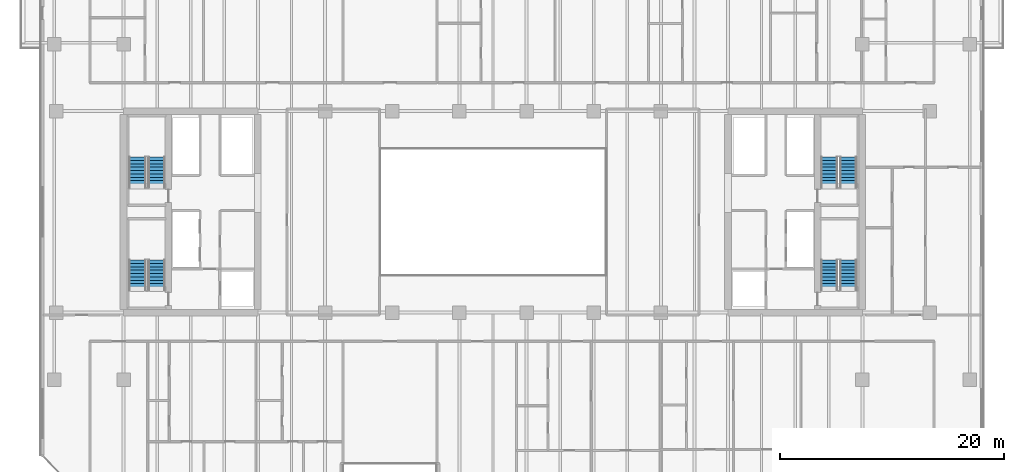
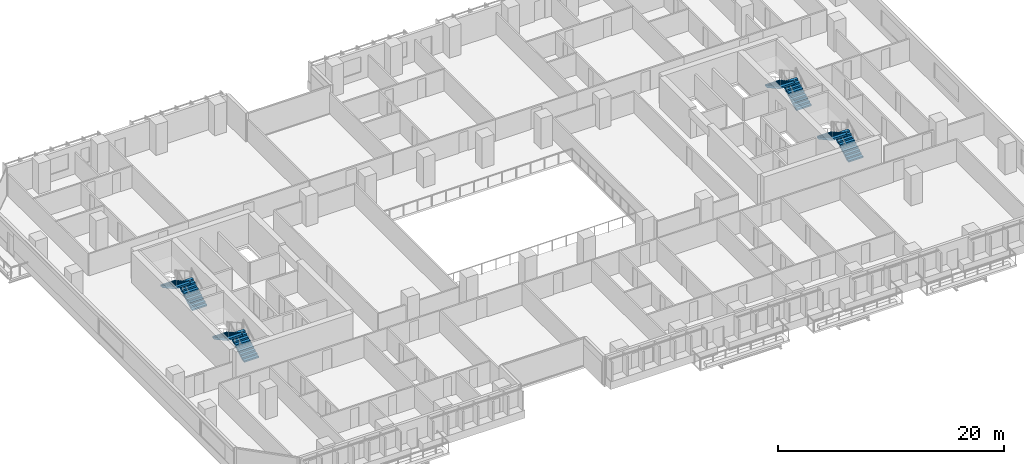
# One storey, part 24 of 33: 8 stair flights, 4 elements without a shape of their own.
"""IFC4 building model written with IfcOpenShell, lengths in metres."""

from ifc_helpers import new_model, si_unit, direction, frame, origin, place, context, subcontext, project, spatial, polyline, outline, extrude, material, type_object, element, aggregate, save


model = new_model("IFC4")

# Units and contexts
model_context = context("Model", 3, precision=1e-05, world=origin(), true_north=direction((0.0, 1.0)))
body_context = subcontext(model_context, "Body", "Model", "MODEL_VIEW")
ifc_project = project(units=[si_unit("LENGTHUNIT", "METRE"), si_unit("AREAUNIT", "SQUARE_METRE"), si_unit("VOLUMEUNIT", "CUBIC_METRE"), si_unit("PLANEANGLEUNIT", "RADIAN"), si_unit("MASSUNIT", "GRAM", prefix="KILO")], contexts=[model_context])

# Site, building, storey
site_placement = place(None, origin())
site = spatial("IfcSite", under=ifc_project, at=site_placement, CompositionType="ELEMENT")
building_placement = place(site_placement, origin())
building = spatial("IfcBuilding", under=site, at=building_placement, Name="Tanjung Sevakor Pilgrim Tower", CompositionType="ELEMENT")
storey_placement = place(building_placement, frame((0.0, 0.0, 52.139892578125)))
storey = spatial("IfcBuildingStorey", under=building, at=storey_placement, Name="L14", CompositionType="ELEMENT", Elevation=52.139892578125)

# Stair, stair flights
ifc_material_1 = material(Name="Concrete C40/50", Category="concrete")
stair_type = type_object("IfcStairType", Name="STAIR-ST-CR150", PredefinedType="HALF_TURN_STAIR", material=ifc_material_1)
stair_1_placement = place(storey_placement, origin())
stair_1 = element("IfcStair", 1, at=stair_1_placement, inside=storey, type_object=stair_type, Name="L14 West Core Exit Stair 1", PredefinedType="HALF_TURN_STAIR")
ifc_material_2 = material(Name="Concrete C40/50", Category="concrete")
stair_flight_type = type_object("IfcStairFlightType", Name="FLIGHT-ST-CR150", PredefinedType="STRAIGHT", material=ifc_material_2)
stair_flight_1_placement = place(storey_placement, frame((26.949951171875, 26.60009765625, 0.0), z_axis=(0.0, 0.0, 1.0), x_axis=(0.0, 1.0, 0.0)))
stair_flight_1 = element("IfcStairFlight", 2, at=stair_flight_1_placement, type_object=stair_flight_type, Name="TS-W1 flight 1", NumberOfRisers=10, NumberOfTreads=9, PredefinedType="STRAIGHT", RiserHeight=0.165, TreadLength=0.3, context=body_context, shape_type="SweptSolid", body=[
    extrude(outline(polyline([(0.0, 0.0), (0.0, 0.1650390625), (0.300048828125, 0.1650390625), (0.300048828125, 0.330078125), (0.60009765625, 0.330078125), (0.60009765625, 0.4951171875), (0.89990234375, 0.4951171875), (0.89990234375, 0.659912109375), (1.199951171875, 0.659912109375), (1.199951171875, 0.824951171875), (1.5, 0.824951171875), (1.5, 0.989990234375), (1.800048828125, 0.989990234375), (1.800048828125, 1.155029296875), (2.10009765625, 1.155029296875), (2.10009765625, 1.320068359375), (2.39990234375, 1.320068359375), (2.39990234375, 1.485107421875), (2.699951171875, 1.485107421875), (2.699951171875, 1.64990234375), (2.699951171875, 1.302490234375), (0.331787109375, 0.0), (0.0, 0.0)])), frame((0.0, 0.75, 0.0), z_axis=(0.0, -1.0, 0.0), x_axis=(1.0, 0.0, 0.0)), (0.0, 0.0, 1.0), 1.5),
])
stair_flight_2_placement = place(storey_placement, frame((25.25, 29.300048828125, 1.650146484375), z_axis=(0.0, 0.0, 1.0), x_axis=(0.0, -1.0, 0.0)))
stair_flight_2 = element("IfcStairFlight", 3, at=stair_flight_2_placement, type_object=stair_flight_type, Name="TS-W1 flight 2", NumberOfRisers=10, NumberOfTreads=9, PredefinedType="STRAIGHT", RiserHeight=0.165, TreadLength=0.3, context=body_context, shape_type="SweptSolid", body=[
    extrude(outline(polyline([(0.0, 0.0), (0.0, 0.1650390625), (0.300048828125, 0.1650390625), (0.300048828125, 0.330078125), (0.60009765625, 0.330078125), (0.60009765625, 0.4951171875), (0.89990234375, 0.4951171875), (0.89990234375, 0.659912109375), (1.199951171875, 0.659912109375), (1.199951171875, 0.824951171875), (1.5, 0.824951171875), (1.5, 0.989990234375), (1.800048828125, 0.989990234375), (1.800048828125, 1.155029296875), (2.10009765625, 1.155029296875), (2.10009765625, 1.320068359375), (2.39990234375, 1.320068359375), (2.39990234375, 1.485107421875), (2.699951171875, 1.485107421875), (2.699951171875, 1.64990234375), (2.699951171875, 1.302490234375), (0.331787109375, 0.0), (0.0, 0.0)])), frame((0.0, 0.75, 0.0), z_axis=(0.0, -1.0, 0.0), x_axis=(1.0, 0.0, 0.0)), (0.0, 0.0, 1.0), 1.5),
])
aggregate(stair_1, [stair_flight_1, stair_flight_2])

stair_2_placement = place(storey_placement, origin())
stair_2 = element("IfcStair", 4, at=stair_2_placement, inside=storey, type_object=stair_type, Name="L14 West Core Exit Stair 2", PredefinedType="HALF_TURN_STAIR")
stair_flight_3_placement = place(storey_placement, frame((26.949951171875, 35.800048828125, 0.0), z_axis=(0.0, 0.0, 1.0), x_axis=(0.0, 1.0, 0.0)))
stair_flight_3 = element("IfcStairFlight", 5, at=stair_flight_3_placement, type_object=stair_flight_type, Name="TS-W2 flight 1", NumberOfRisers=10, NumberOfTreads=9, PredefinedType="STRAIGHT", RiserHeight=0.165, TreadLength=0.3, context=body_context, shape_type="SweptSolid", body=[
    extrude(outline(polyline([(0.0, 0.0), (0.0, 0.1650390625), (0.300048828125, 0.1650390625), (0.300048828125, 0.330078125), (0.60009765625, 0.330078125), (0.60009765625, 0.4951171875), (0.89990234375, 0.4951171875), (0.89990234375, 0.659912109375), (1.199951171875, 0.659912109375), (1.199951171875, 0.824951171875), (1.5, 0.824951171875), (1.5, 0.989990234375), (1.800048828125, 0.989990234375), (1.800048828125, 1.155029296875), (2.10009765625, 1.155029296875), (2.10009765625, 1.320068359375), (2.39990234375, 1.320068359375), (2.39990234375, 1.485107421875), (2.699951171875, 1.485107421875), (2.699951171875, 1.64990234375), (2.699951171875, 1.302490234375), (0.331787109375, 0.0), (0.0, 0.0)])), frame((0.0, 0.75, 0.0), z_axis=(0.0, -1.0, 0.0), x_axis=(1.0, 0.0, 0.0)), (0.0, 0.0, 1.0), 1.5),
])
stair_flight_4_placement = place(storey_placement, frame((25.25, 38.5, 1.650146484375), z_axis=(0.0, 0.0, 1.0), x_axis=(0.0, -1.0, 0.0)))
stair_flight_4 = element("IfcStairFlight", 6, at=stair_flight_4_placement, type_object=stair_flight_type, Name="TS-W2 flight 2", NumberOfRisers=10, NumberOfTreads=9, PredefinedType="STRAIGHT", RiserHeight=0.165, TreadLength=0.3, context=body_context, shape_type="SweptSolid", body=[
    extrude(outline(polyline([(0.0, 0.0), (0.0, 0.1650390625), (0.300048828125, 0.1650390625), (0.300048828125, 0.330078125), (0.60009765625, 0.330078125), (0.60009765625, 0.4951171875), (0.89990234375, 0.4951171875), (0.89990234375, 0.659912109375), (1.199951171875, 0.659912109375), (1.199951171875, 0.824951171875), (1.5, 0.824951171875), (1.5, 0.989990234375), (1.800048828125, 0.989990234375), (1.800048828125, 1.155029296875), (2.10009765625, 1.155029296875), (2.10009765625, 1.320068359375), (2.39990234375, 1.320068359375), (2.39990234375, 1.485107421875), (2.699951171875, 1.485107421875), (2.699951171875, 1.64990234375), (2.699951171875, 1.302490234375), (0.331787109375, 0.0), (0.0, 0.0)])), frame((0.0, 0.75, 0.0), z_axis=(0.0, -1.0, 0.0), x_axis=(1.0, 0.0, 0.0)), (0.0, 0.0, 1.0), 1.5),
])
aggregate(stair_2, [stair_flight_3, stair_flight_4])

stair_3_placement = place(storey_placement, origin())
stair_3 = element("IfcStair", 7, at=stair_3_placement, inside=storey, type_object=stair_type, Name="L14 East Core Exit Stair 1", PredefinedType="HALF_TURN_STAIR")
stair_flight_5_placement = place(storey_placement, frame((88.75, 26.60009765625, 0.0), z_axis=(0.0, 0.0, 1.0), x_axis=(0.0, 1.0, 0.0)))
stair_flight_5 = element("IfcStairFlight", 8, at=stair_flight_5_placement, type_object=stair_flight_type, Name="TS-E1 flight 1", NumberOfRisers=10, NumberOfTreads=9, PredefinedType="STRAIGHT", RiserHeight=0.165, TreadLength=0.3, context=body_context, shape_type="SweptSolid", body=[
    extrude(outline(polyline([(0.0, 0.0), (0.0, 0.1650390625), (0.300048828125, 0.1650390625), (0.300048828125, 0.330078125), (0.60009765625, 0.330078125), (0.60009765625, 0.4951171875), (0.89990234375, 0.4951171875), (0.89990234375, 0.659912109375), (1.199951171875, 0.659912109375), (1.199951171875, 0.824951171875), (1.5, 0.824951171875), (1.5, 0.989990234375), (1.800048828125, 0.989990234375), (1.800048828125, 1.155029296875), (2.10009765625, 1.155029296875), (2.10009765625, 1.320068359375), (2.39990234375, 1.320068359375), (2.39990234375, 1.485107421875), (2.699951171875, 1.485107421875), (2.699951171875, 1.64990234375), (2.699951171875, 1.302490234375), (0.331787109375, 0.0), (0.0, 0.0)])), frame((0.0, 0.75, 0.0), z_axis=(0.0, -1.0, 0.0), x_axis=(1.0, 0.0, 0.0)), (0.0, 0.0, 1.0), 1.5),
])
stair_flight_6_placement = place(storey_placement, frame((87.050048828125, 29.300048828125, 1.650146484375), z_axis=(0.0, 0.0, 1.0), x_axis=(0.0, -1.0, 0.0)))
stair_flight_6 = element("IfcStairFlight", 9, at=stair_flight_6_placement, type_object=stair_flight_type, Name="TS-E1 flight 2", NumberOfRisers=10, NumberOfTreads=9, PredefinedType="STRAIGHT", RiserHeight=0.165, TreadLength=0.3, context=body_context, shape_type="SweptSolid", body=[
    extrude(outline(polyline([(0.0, 0.0), (0.0, 0.1650390625), (0.300048828125, 0.1650390625), (0.300048828125, 0.330078125), (0.60009765625, 0.330078125), (0.60009765625, 0.4951171875), (0.89990234375, 0.4951171875), (0.89990234375, 0.659912109375), (1.199951171875, 0.659912109375), (1.199951171875, 0.824951171875), (1.5, 0.824951171875), (1.5, 0.989990234375), (1.800048828125, 0.989990234375), (1.800048828125, 1.155029296875), (2.10009765625, 1.155029296875), (2.10009765625, 1.320068359375), (2.39990234375, 1.320068359375), (2.39990234375, 1.485107421875), (2.699951171875, 1.485107421875), (2.699951171875, 1.64990234375), (2.699951171875, 1.302490234375), (0.331787109375, 0.0), (0.0, 0.0)])), frame((0.0, 0.75, 0.0), z_axis=(0.0, -1.0, 0.0), x_axis=(1.0, 0.0, 0.0)), (0.0, 0.0, 1.0), 1.5),
])
aggregate(stair_3, [stair_flight_5, stair_flight_6])

stair_4_placement = place(storey_placement, origin())
stair_4 = element("IfcStair", 10, at=stair_4_placement, inside=storey, type_object=stair_type, Name="L14 East Core Exit Stair 2", PredefinedType="HALF_TURN_STAIR")
stair_flight_7_placement = place(storey_placement, frame((88.75, 35.800048828125, 0.0), z_axis=(0.0, 0.0, 1.0), x_axis=(0.0, 1.0, 0.0)))
stair_flight_7 = element("IfcStairFlight", 11, at=stair_flight_7_placement, type_object=stair_flight_type, Name="TS-E2 flight 1", NumberOfRisers=10, NumberOfTreads=9, PredefinedType="STRAIGHT", RiserHeight=0.165, TreadLength=0.3, context=body_context, shape_type="SweptSolid", body=[
    extrude(outline(polyline([(0.0, 0.0), (0.0, 0.1650390625), (0.300048828125, 0.1650390625), (0.300048828125, 0.330078125), (0.60009765625, 0.330078125), (0.60009765625, 0.4951171875), (0.89990234375, 0.4951171875), (0.89990234375, 0.659912109375), (1.199951171875, 0.659912109375), (1.199951171875, 0.824951171875), (1.5, 0.824951171875), (1.5, 0.989990234375), (1.800048828125, 0.989990234375), (1.800048828125, 1.155029296875), (2.10009765625, 1.155029296875), (2.10009765625, 1.320068359375), (2.39990234375, 1.320068359375), (2.39990234375, 1.485107421875), (2.699951171875, 1.485107421875), (2.699951171875, 1.64990234375), (2.699951171875, 1.302490234375), (0.331787109375, 0.0), (0.0, 0.0)])), frame((0.0, 0.75, 0.0), z_axis=(0.0, -1.0, 0.0), x_axis=(1.0, 0.0, 0.0)), (0.0, 0.0, 1.0), 1.5),
])
stair_flight_8_placement = place(storey_placement, frame((87.050048828125, 38.5, 1.650146484375), z_axis=(0.0, 0.0, 1.0), x_axis=(0.0, -1.0, 0.0)))
stair_flight_8 = element("IfcStairFlight", 12, at=stair_flight_8_placement, type_object=stair_flight_type, Name="TS-E2 flight 2", NumberOfRisers=10, NumberOfTreads=9, PredefinedType="STRAIGHT", RiserHeight=0.165, TreadLength=0.3, context=body_context, shape_type="SweptSolid", body=[
    extrude(outline(polyline([(0.0, 0.0), (0.0, 0.1650390625), (0.300048828125, 0.1650390625), (0.300048828125, 0.330078125), (0.60009765625, 0.330078125), (0.60009765625, 0.4951171875), (0.89990234375, 0.4951171875), (0.89990234375, 0.659912109375), (1.199951171875, 0.659912109375), (1.199951171875, 0.824951171875), (1.5, 0.824951171875), (1.5, 0.989990234375), (1.800048828125, 0.989990234375), (1.800048828125, 1.155029296875), (2.10009765625, 1.155029296875), (2.10009765625, 1.320068359375), (2.39990234375, 1.320068359375), (2.39990234375, 1.485107421875), (2.699951171875, 1.485107421875), (2.699951171875, 1.64990234375), (2.699951171875, 1.302490234375), (0.331787109375, 0.0), (0.0, 0.0)])), frame((0.0, 0.75, 0.0), z_axis=(0.0, -1.0, 0.0), x_axis=(1.0, 0.0, 0.0)), (0.0, 0.0, 1.0), 1.5),
])
aggregate(stair_4, [stair_flight_7, stair_flight_8])

save(model, "model.ifc")
